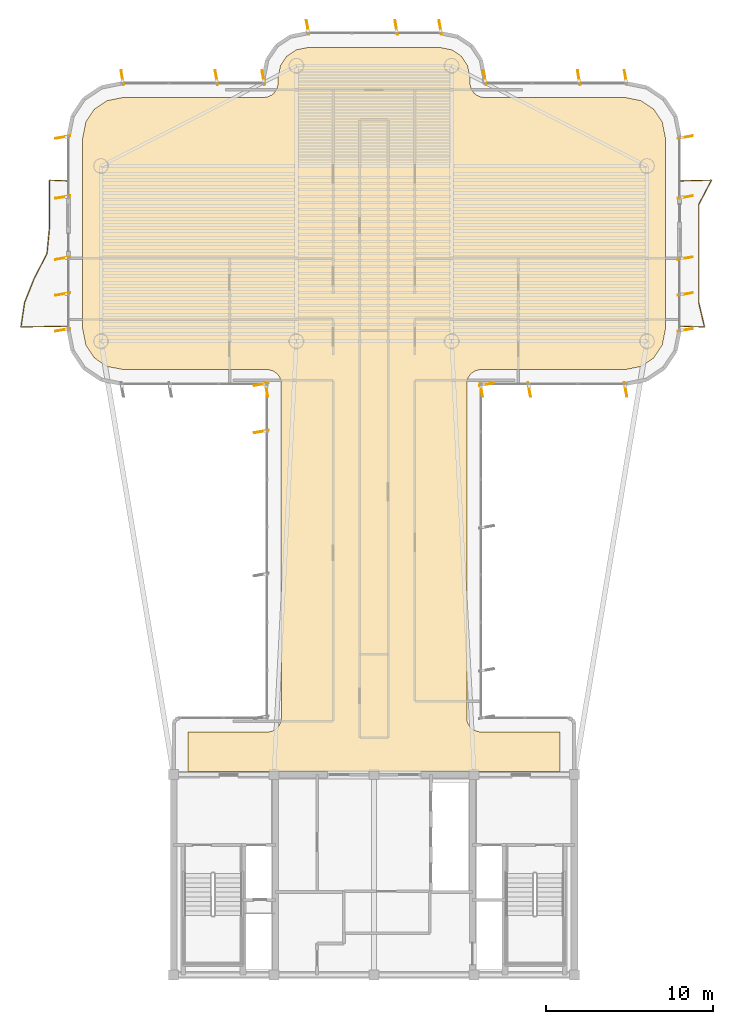
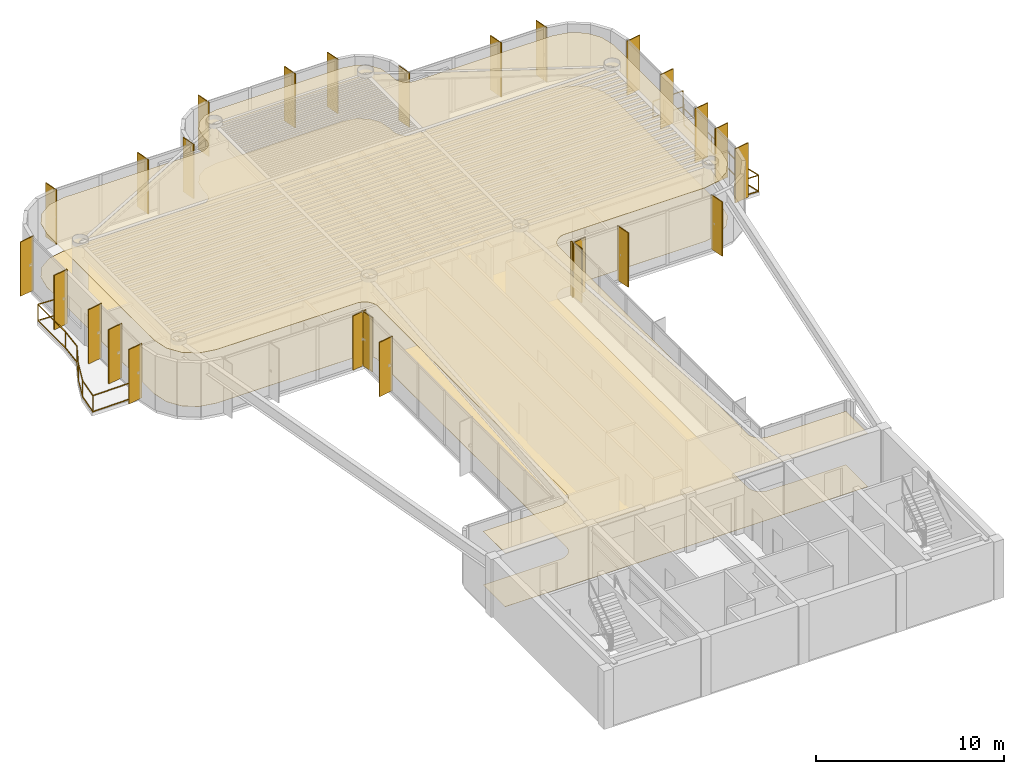
# One storey, part 15 of 15: 26 shading devices, 2 coverings, 2 railings.
"""IFC4 building model written with IfcOpenShell, lengths in metres."""

import ifcopenshell
import ifcopenshell.guid

model = None  # the IFC model being written
_history = None  # IfcOwnerHistory: only IFC2X3 demands one
_inside = {}  # id of a spatial element -> (the spatial element, [elements in it])
_under = {}  # id of a project, library or spatial element -> (it, [spatial elements below it])
_declared = {}  # id of a project -> (the project, [libraries it declares])
_typed = {}  # id of a type object -> (the type object, [elements of that type])
_made_of = {}  # id of a material, layer set ... -> (it, [elements and type objects made of it])


def new_model(schema):
    """Start an empty IFC model of exactly this schema.

    Asked for "IFC4X3", IfcOpenShell would pick the latest addendum, in which some entities
    have other attributes; the version numbers below select the first issue.
    IFC2X3 requires an IfcOwnerHistory on every rooted entity: one is made here for all.
    """
    global model, _history
    if schema == "IFC4X3":
        model = ifcopenshell.file(schema_version=(4, 3, 0, 0))
    else:
        model = ifcopenshell.file(schema=schema)
    _inside.clear()
    _under.clear()
    _declared.clear()
    _typed.clear()
    _made_of.clear()
    _history = None
    if model.schema == "IFC2X3":
        org = make("IfcOrganization", Name="unknown")
        user = make(
            "IfcPersonAndOrganization",
            ThePerson=make("IfcPerson", FamilyName="unknown"),
            TheOrganization=org,
        )
        app = make(
            "IfcApplication",
            ApplicationDeveloper=org,
            Version="unknown",
            ApplicationFullName="unknown",
            ApplicationIdentifier="unknown",
        )
        _history = make(
            "IfcOwnerHistory",
            OwningUser=user,
            OwningApplication=app,
            ChangeAction="ADDED",
            CreationDate=0,
        )
    return model


def make(cls, **values):
    """One entity of the class cls with the attributes given. An attribute that is None is left unset."""
    return model.create_entity(
        cls, **{name: value for name, value in values.items() if value is not None}
    )


def rooted(cls, **values):
    """An entity with a GlobalId (a new one), such as an element, a storey or a relation."""
    return make(cls, GlobalId=ifcopenshell.guid.new(), OwnerHistory=_history, **values)


def si_unit(unit_type, name, prefix=None):
    """IfcSIUnit, for example si_unit("LENGTHUNIT", "METRE", prefix="MILLI")."""
    return make("IfcSIUnit", UnitType=unit_type, Prefix=prefix, Name=name)


def assignment(units):
    """IfcUnitAssignment: the units of a project."""
    return None if units is None else make("IfcUnitAssignment", Units=units)


def point(xyz):
    """IfcCartesianPoint."""
    return None if xyz is None else make("IfcCartesianPoint", Coordinates=xyz)


def direction(xyz):
    """IfcDirection."""
    return None if xyz is None else make("IfcDirection", DirectionRatios=xyz)


def frame(location, z_axis=None, x_axis=None):
    """IfcAxis2Placement3D, a coordinate frame: its origin and axes. An axis left out is left unset."""
    return make(
        "IfcAxis2Placement3D",
        Location=point(location),
        Axis=direction(z_axis),
        RefDirection=direction(x_axis),
    )


def frame_2d(location, x_axis=None):
    """IfcAxis2Placement2D, a coordinate frame in the plane: its origin and x axis."""
    return make(
        "IfcAxis2Placement2D", Location=point(location), RefDirection=direction(x_axis)
    )


def origin():
    """The frame at (0, 0, 0) with its axes left unset."""
    return frame((0.0, 0.0, 0.0))


def origin_2d():
    """The frame at (0, 0) in the plane with its x axis left unset."""
    return frame_2d((0.0, 0.0))


def place(relative_to, where):
    """IfcLocalPlacement: puts the frame where relative to a parent placement (None: the world)."""
    return make(
        "IfcLocalPlacement", PlacementRelTo=relative_to, RelativePlacement=where
    )


def context(
    kind, dimensions, precision=None, world=None, true_north=None, identifier=None
):
    """IfcGeometricRepresentationContext, for example the 3D "Model" context."""
    return make(
        "IfcGeometricRepresentationContext",
        ContextIdentifier=identifier,
        ContextType=kind,
        CoordinateSpaceDimension=dimensions,
        Precision=precision,
        WorldCoordinateSystem=world,
        TrueNorth=true_north,
    )


def subcontext(parent, identifier, kind, view, scale=None):
    """IfcGeometricRepresentationSubContext, for example "Body" below "Model"."""
    return make(
        "IfcGeometricRepresentationSubContext",
        ContextIdentifier=identifier,
        ContextType=kind,
        ParentContext=parent,
        TargetScale=scale,
        TargetView=view,
    )


def project(units=None, contexts=None):
    """IfcProject with its units and contexts."""
    return rooted(
        "IfcProject",
        Name="project",
        RepresentationContexts=contexts,
        UnitsInContext=assignment(units),
    )


def spatial(cls, under=None, at=None, **own):
    """A site, building, storey or space (cls), placed at a placement, below another one or the project."""
    s = rooted(cls, ObjectPlacement=at, **own)
    if under is not None:
        _under.setdefault(under.id(), (under, []))[1].append(s)
    return s


def polyline(points):
    """IfcPolyline through the points."""
    return make("IfcPolyline", Points=[point(p) for p in points])


def profile(cls, at=None, kind="AREA", **sizes):
    """A parametric profile (cls). Its sizes go by their IFC names, for example OverallWidth=200.0."""
    return make(cls, ProfileType=kind, Position=at, **sizes)


def rectangle(**sizes):
    """IfcRectangleProfileDef."""
    return profile("IfcRectangleProfileDef", **sizes)


def outline(outer, holes=None, kind="AREA"):
    """IfcArbitraryClosedProfileDef: a profile drawn as a closed curve; with holes, ...WithVoids."""
    if holes is None:
        return make("IfcArbitraryClosedProfileDef", ProfileType=kind, OuterCurve=outer)
    return make(
        "IfcArbitraryProfileDefWithVoids",
        ProfileType=kind,
        OuterCurve=outer,
        InnerCurves=holes,
    )


def extrude(swept, where, along, depth):
    """IfcExtrudedAreaSolid: the profile swept, set in the frame where, extruded along a direction by depth."""
    return make(
        "IfcExtrudedAreaSolid",
        SweptArea=swept,
        Position=where,
        ExtrudedDirection=direction(along),
        Depth=depth,
    )


def shape(context_of_items, identifier, shape_type, items):
    """IfcShapeRepresentation: the items that make up one representation, for example the "Body"."""
    return make(
        "IfcShapeRepresentation",
        ContextOfItems=context_of_items,
        RepresentationIdentifier=identifier,
        RepresentationType=shape_type,
        Items=items,
    )


def source(mapping_origin, context_of_items, identifier, shape_type, items):
    """IfcRepresentationMap: a shape defined once, which mapped items show again and again."""
    return make(
        "IfcRepresentationMap",
        MappingOrigin=mapping_origin,
        MappedRepresentation=shape(context_of_items, identifier, shape_type, items),
    )


def transform(
    local_origin,
    x_axis=None,
    y_axis=None,
    z_axis=None,
    scale=None,
    scale2=None,
    scale3=None,
    uniform=True,
):
    """IfcCartesianTransformationOperator3D, or its non-uniform kind. x_axis, y_axis, z_axis: its Axis1, 2, 3."""
    if uniform:
        return make(
            "IfcCartesianTransformationOperator3D",
            Axis1=direction(x_axis),
            Axis2=direction(y_axis),
            LocalOrigin=point(local_origin),
            Scale=scale,
            Axis3=direction(z_axis),
        )
    return make(
        "IfcCartesianTransformationOperator3DnonUniform",
        Axis1=direction(x_axis),
        Axis2=direction(y_axis),
        LocalOrigin=point(local_origin),
        Scale=scale,
        Axis3=direction(z_axis),
        Scale2=scale2,
        Scale3=scale3,
    )


def mapped(mapping_source, mapping_target):
    """IfcMappedItem: shows the shape of a source again, moved by a transform."""
    return make(
        "IfcMappedItem", MappingSource=mapping_source, MappingTarget=mapping_target
    )


def material(Name=None, Category=None):
    """IfcMaterial."""
    return make("IfcMaterial", Name=Name, Category=Category)


def layer(
    of_material, thickness, ventilated=None, Name=None, Category=None, Priority=None
):
    """IfcMaterialLayer: one layer of a wall or slab, of a material (None: an air gap)."""
    return make(
        "IfcMaterialLayer",
        Material=of_material,
        LayerThickness=thickness,
        IsVentilated=ventilated,
        Name=Name,
        Category=Category,
        Priority=Priority,
    )


def layer_set(layers, Name=None):
    """IfcMaterialLayerSet."""
    return make("IfcMaterialLayerSet", MaterialLayers=layers, LayerSetName=Name)


def material_profile(
    of_material, cross_section, Name=None, Category=None, Priority=None
):
    """IfcMaterialProfile: a cross section and its material."""
    return make(
        "IfcMaterialProfile",
        Name=Name,
        Material=of_material,
        Profile=cross_section,
        Priority=Priority,
        Category=Category,
    )


def profile_set(profiles, Name=None, composite=None):
    """IfcMaterialProfileSet."""
    return make(
        "IfcMaterialProfileSet",
        Name=Name,
        MaterialProfiles=profiles,
        CompositeProfile=composite,
    )


def made_of(thing, what):
    """Note that an element or type object is made of a material, layer set ...; save() writes the relation."""
    if what is not None:
        _made_of.setdefault(what.id(), (what, []))[1].append(thing)
    return thing


def type_object(cls, material=None, **own):
    """A type object (cls), such as IfcWallType, which elements share."""
    return made_of(rooted(cls, **own), material)


def element(
    cls,
    number,
    at=None,
    inside=None,
    cuts=None,
    type_object=None,
    material=None,
    context=None,
    identifier="Body",
    shape_type=None,
    held_by="IfcProductDefinitionShape",
    body=None,
    shapes=None,
    **own,
):
    """One element of the class cls, such as IfcWall. Its Tag is "e" and its number.

    at: its placement. inside: the storey or other place that contains it. cuts: it is an
    opening in that element (IfcRelVoidsElement). A single representation is given by context,
    identifier, shape_type and body (its items); several are given by shapes. held_by: the class
    of the entity that holds the representations. save() writes the other relations.
    """
    e = rooted(cls, Tag="e%d" % number, ObjectPlacement=at, **own)
    if body is not None:
        shapes = [shape(context, identifier, shape_type, body)]
    if shapes is not None:
        e.Representation = make(held_by, Representations=shapes)
    if inside is not None:
        _inside.setdefault(inside.id(), (inside, []))[1].append(e)
    if cuts is not None:
        rooted(
            "IfcRelVoidsElement", RelatingBuildingElement=cuts, RelatedOpeningElement=e
        )
    if type_object is not None:
        _typed.setdefault(type_object.id(), (type_object, []))[1].append(e)
    return made_of(e, material)


def aggregate(whole, parts):
    """IfcRelAggregates: a whole, such as a stair, and the parts it consists of."""
    return rooted("IfcRelAggregates", RelatingObject=whole, RelatedObjects=parts)


def save(model, path):
    """Write the relations noted so far, then the file.

    IfcRelAggregates (storeys below a building ...), IfcRelContainedInSpatialStructure (elements
    in a storey), IfcRelDefinesByType, IfcRelAssociatesMaterial and IfcRelDeclares: one each for
    every whole, place, type object, material and project.
    """
    for whole, parts in _under.values():
        aggregate(whole, parts)
    for where, things in _inside.values():
        rooted(
            "IfcRelContainedInSpatialStructure",
            RelatedElements=things,
            RelatingStructure=where,
        )
    for kind, things in _typed.values():
        rooted("IfcRelDefinesByType", RelatedObjects=things, RelatingType=kind)
    for what, things in _made_of.values():
        rooted("IfcRelAssociatesMaterial", RelatedObjects=things, RelatingMaterial=what)
    for by, libraries in _declared.values():
        rooted("IfcRelDeclares", RelatingContext=by, RelatedDefinitions=libraries)
    model.write(path)


model = new_model("IFC4")

# Units and contexts
model_context = context("Model", 3, precision=1e-05, world=origin(), true_north=direction((0.0, 1.0)))
body_context = subcontext(model_context, "Body", "Model", "MODEL_VIEW")
ifc_project = project(units=[si_unit("LENGTHUNIT", "METRE"), si_unit("AREAUNIT", "SQUARE_METRE"), si_unit("VOLUMEUNIT", "CUBIC_METRE"), si_unit("PLANEANGLEUNIT", "RADIAN"), si_unit("MASSUNIT", "GRAM", prefix="KILO")], contexts=[model_context])

# Site, building, storey
site_placement = place(None, origin())
site = spatial("IfcSite", under=ifc_project, at=site_placement, CompositionType="ELEMENT")
building_placement = place(site_placement, origin())
building = spatial("IfcBuilding", under=site, at=building_placement, Name="Brelvock Crest Care Tower", CompositionType="ELEMENT")
storey_placement = place(building_placement, frame((0.0, 0.0, 249.47998046875)))
storey = spatial("IfcBuildingStorey", under=building, at=storey_placement, Name="L63", CompositionType="ELEMENT", Elevation=249.47998046875)

# Coverings
ifc_material_1 = material(Name="Mineral Fibre Acoustic Ceiling Tile", Category="gypsum")
ifc_layer_1 = layer(ifc_material_1, 0.02490234375, Name="COV-CLG1")
ifc_layer_set_1 = layer_set([ifc_layer_1], Name="Mineral Fibre Acoustic Ceiling Tile")
covering_type_1 = type_object("IfcCoveringType", Name="COV-CLG1", PredefinedType="CEILING", material=ifc_layer_set_1)
covering_1_placement = place(storey_placement, frame((0.0, 0.0, 3.47509765625)))
element("IfcCovering", 1, at=covering_1_placement, inside=storey, type_object=covering_type_1, Name="L63 Acoustic Suspended Ceiling 1", PredefinedType="CEILING", context=body_context, shape_type="SweptSolid", body=[
    extrude(outline(polyline([(24.85009765625, 18.199951171875), (47.14990234375, 18.199951171875), (47.14990234375, 20.550048828125), (42.316650390625, 20.55419921875), (41.999267578125, 20.650390625), (41.799072265625, 20.799072265625), (41.650390625, 20.999267578125), (41.56640625, 21.234130859375), (41.55419921875, 41.4833984375), (41.61474609375, 41.725341796875), (41.799072265625, 42.0009765625), (42.07470703125, 42.185302734375), (42.316650390625, 42.245849609375), (51.016357421875, 42.25), (51.992919921875, 42.4443359375), (52.75, 42.9501953125), (53.255615234375, 43.70703125), (53.449951171875, 44.68359375), (53.449951171875, 56.1162109375), (53.255615234375, 57.093017578125), (52.75, 57.849853515625), (51.992919921875, 58.355712890625), (51.016357421875, 58.550048828125), (42.60009765625, 58.550048828125), (42.353271484375, 58.586669921875), (42.127685546875, 58.693359375), (41.9990234375, 58.799072265625), (41.814697265625, 59.07470703125), (41.754150390625, 59.316650390625), (41.75, 59.71630859375), (41.601318359375, 60.46337890625), (41.2255859375, 61.025634765625), (40.663330078125, 61.4013671875), (39.916259765625, 61.550048828125), (32.083740234375, 61.550048828125), (31.336669921875, 61.4013671875), (30.7744140625, 61.025634765625), (30.398681640625, 60.46337890625), (30.25, 59.71630859375), (30.245849609375, 59.316650390625), (30.185302734375, 59.07470703125), (30.0009765625, 58.799072265625), (29.872314453125, 58.693359375), (29.646728515625, 58.586669921875), (29.39990234375, 58.550048828125), (20.983642578125, 58.550048828125), (20.007080078125, 58.355712890625), (19.25, 57.849853515625), (18.744384765625, 57.093017578125), (18.550048828125, 56.1162109375), (18.550048828125, 44.68359375), (18.744384765625, 43.70703125), (19.25, 42.9501953125), (20.007080078125, 42.4443359375), (20.983642578125, 42.25), (29.683349609375, 42.245849609375), (29.92529296875, 42.185302734375), (30.200927734375, 42.0009765625), (30.349609375, 41.80078125), (30.43359375, 41.56591796875), (30.449951171875, 21.39990234375), (30.413330078125, 21.1533203125), (30.306640625, 20.927734375), (30.13916015625, 20.742919921875), (29.92529296875, 20.61474609375), (29.683349609375, 20.55419921875), (24.85009765625, 20.550048828125), (24.85009765625, 18.199951171875)])), origin(), (0.0, 0.0, 1.0), 0.02490234375),
])
ifc_material_2 = material(Name="Slip-Resistant Acoustic Vinyl Flooring", Category="finish")
ifc_layer_2 = layer(ifc_material_2, 0.014892578125, Name="COV-FLR1")
ifc_layer_set_2 = layer_set([ifc_layer_2], Name="Slip-Resistant Acoustic Vinyl Flooring")
covering_type_2 = type_object("IfcCoveringType", Name="COV-FLR1", PredefinedType="FLOORING", material=ifc_layer_set_2)
covering_2_placement = place(storey_placement, origin())
element("IfcCovering", 2, at=covering_2_placement, inside=storey, type_object=covering_type_2, Name="L63 Slip-Resistant Acoustic Flooring 1", PredefinedType="FLOORING", context=body_context, shape_type="SweptSolid", body=[
    extrude(outline(polyline([(24.85009765625, 18.199951171875), (47.14990234375, 18.199951171875), (47.14990234375, 20.550048828125), (42.316650390625, 20.55419921875), (41.999267578125, 20.650390625), (41.799072265625, 20.799072265625), (41.650390625, 20.999267578125), (41.56640625, 21.234130859375), (41.55419921875, 41.4833984375), (41.61474609375, 41.725341796875), (41.799072265625, 42.0009765625), (42.07470703125, 42.185302734375), (42.316650390625, 42.245849609375), (51.016357421875, 42.25), (51.992919921875, 42.4443359375), (52.75, 42.9501953125), (53.255615234375, 43.70703125), (53.449951171875, 44.68359375), (53.449951171875, 56.1162109375), (53.255615234375, 57.093017578125), (52.75, 57.849853515625), (51.992919921875, 58.355712890625), (51.016357421875, 58.550048828125), (42.60009765625, 58.550048828125), (42.353271484375, 58.586669921875), (42.127685546875, 58.693359375), (41.9990234375, 58.799072265625), (41.814697265625, 59.07470703125), (41.754150390625, 59.316650390625), (41.75, 59.71630859375), (41.601318359375, 60.46337890625), (41.2255859375, 61.025634765625), (40.663330078125, 61.4013671875), (39.916259765625, 61.550048828125), (32.083740234375, 61.550048828125), (31.336669921875, 61.4013671875), (30.7744140625, 61.025634765625), (30.398681640625, 60.46337890625), (30.25, 59.71630859375), (30.245849609375, 59.316650390625), (30.185302734375, 59.07470703125), (30.0009765625, 58.799072265625), (29.872314453125, 58.693359375), (29.646728515625, 58.586669921875), (29.39990234375, 58.550048828125), (20.983642578125, 58.550048828125), (20.007080078125, 58.355712890625), (19.25, 57.849853515625), (18.744384765625, 57.093017578125), (18.550048828125, 56.1162109375), (18.550048828125, 44.68359375), (18.744384765625, 43.70703125), (19.25, 42.9501953125), (20.007080078125, 42.4443359375), (20.983642578125, 42.25), (29.683349609375, 42.245849609375), (29.92529296875, 42.185302734375), (30.200927734375, 42.0009765625), (30.349609375, 41.80078125), (30.43359375, 41.56591796875), (30.449951171875, 21.39990234375), (30.413330078125, 21.1533203125), (30.306640625, 20.927734375), (30.13916015625, 20.742919921875), (29.92529296875, 20.61474609375), (29.683349609375, 20.55419921875), (24.85009765625, 20.550048828125), (24.85009765625, 18.199951171875)])), origin(), (0.0, 0.0, 1.0), 0.01513671875),
])

# Railings
ifc_material_3 = material(Name="Dark Glass Double Glazed Low-E", Category="glass")
ifc_layer_3 = layer(ifc_material_3, 0.06005859375, Name="RL-BAL1")
ifc_layer_set_3 = layer_set([ifc_layer_3], Name="Dark Glass Double Glazed Low-E")
railing_type = type_object("IfcRailingType", Name="RL-BAL1", PredefinedType="BALUSTRADE", material=ifc_layer_set_3)
railing_1_placement = place(storey_placement, frame((17.659912109375, 44.85009765625, 0.00390625)))
element("IfcRailing", 3, at=railing_1_placement, inside=storey, type_object=railing_type, Name="L63 Safety Balustrade WB-W", PredefinedType="BALUSTRADE", context=body_context, shape_type="SweptSolid", body=[
    extrude(rectangle(XDim=0.048095703125, YDim=0.048095703125, at=origin_2d()), frame((-0.001953125, 0.0, 1.09619140625), z_axis=(-0.99984026566, -0.017872973008, 0.0), x_axis=(0.017872973008, -0.99984026566, 0.0)), (0.0, 0.0, 1.0), 2.796142578125),
    extrude(rectangle(XDim=0.048095703125, YDim=0.048095703125, at=origin_2d()), frame((-0.001953125, 0.0, 0.054931640625), z_axis=(-0.99984026566, -0.017872973008, 0.0), x_axis=(0.017872973008, -0.99984026566, 0.0)), (0.0, 0.0, 1.0), 2.796142578125),
    extrude(rectangle(XDim=0.048095703125, YDim=0.048095703125, at=origin_2d()), frame((-2.799560546875, -0.048095703125, 1.09619140625), z_axis=(0.146882849114, 0.989153895325, 0.0), x_axis=(-0.989153895325, 0.146882849114, 0.0)), (0.0, 0.0, 1.0), 1.478515625),
    extrude(rectangle(XDim=0.048095703125, YDim=0.048095703125, at=origin_2d()), frame((-2.799560546875, -0.048095703125, 0.054931640625), z_axis=(0.146882849114, 0.989153895325, 0.0), x_axis=(-0.989153895325, 0.146882849114, 0.0)), (0.0, 0.0, 1.0), 1.478515625),
    extrude(rectangle(XDim=0.048095703125, YDim=0.048095703125, at=origin_2d()), frame((-2.581298828125, 1.41845703125, 1.09619140625), z_axis=(0.36936302047, 0.929285187179, 0.0), x_axis=(-0.929285187179, 0.36936302047, 0.0)), (0.0, 0.0, 1.0), 1.574462890625),
    extrude(rectangle(XDim=0.048095703125, YDim=0.048095703125, at=origin_2d()), frame((-2.581298828125, 1.41845703125, 0.054931640625), z_axis=(0.36936302047, 0.929285187179, 0.0), x_axis=(-0.929285187179, 0.36936302047, 0.0)), (0.0, 0.0, 1.0), 1.574462890625),
    extrude(rectangle(XDim=0.048095703125, YDim=0.048095703125, at=origin_2d()), frame((-1.998046875, 2.885009765625, 1.09619140625), z_axis=(0.460230882472, 0.887799264935, 0.0), x_axis=(-0.887799264935, 0.460230882472, 0.0)), (0.0, 0.0, 1.0), 1.64794921875),
    extrude(rectangle(XDim=0.048095703125, YDim=0.048095703125, at=origin_2d()), frame((-1.998046875, 2.885009765625, 0.054931640625), z_axis=(0.460230882472, 0.887799264935, 0.0), x_axis=(-0.887799264935, 0.460230882472, 0.0)), (0.0, 0.0, 1.0), 1.64794921875),
    extrude(rectangle(XDim=0.048095703125, YDim=0.048095703125, at=origin_2d()), frame((-1.238525390625, 4.351806640625, 1.09619140625), z_axis=(0.094285159279, 0.99554523189, 0.0), x_axis=(-0.99554523189, 0.094285159279, 0.0)), (0.0, 0.0, 1.0), 1.469482421875),
    extrude(rectangle(XDim=0.048095703125, YDim=0.048095703125, at=origin_2d()), frame((-1.238525390625, 4.351806640625, 0.054931640625), z_axis=(0.094285159279, 0.99554523189, 0.0), x_axis=(-0.99554523189, 0.094285159279, 0.0)), (0.0, 0.0, 1.0), 1.469482421875),
    extrude(rectangle(XDim=0.048095703125, YDim=0.048095703125, at=origin_2d()), frame((-1.099853515625, 5.818603515625, 1.09619140625), z_axis=(0.0, 1.0, 0.0), x_axis=(-1.0, 0.0, 0.0)), (0.0, 0.0, 1.0), 2.929443359375),
    extrude(rectangle(XDim=0.048095703125, YDim=0.048095703125, at=origin_2d()), frame((-1.099853515625, 5.818603515625, 0.054931640625), z_axis=(0.0, 1.0, 0.0), x_axis=(-1.0, 0.0, 0.0)), (0.0, 0.0, 1.0), 2.929443359375),
    extrude(rectangle(XDim=0.048095703125, YDim=0.048095703125, at=origin_2d()), frame((-1.097900390625, 8.75, 1.09619140625), z_axis=(0.998966252902, -0.045457953795, 0.0), x_axis=(0.045457953795, 0.998966252902, 0.0)), (0.0, 0.0, 1.0), 1.096923828125),
    extrude(rectangle(XDim=0.048095703125, YDim=0.048095703125, at=origin_2d()), frame((-1.097900390625, 8.75, 0.054931640625), z_axis=(0.998966252902, -0.045457953795, 0.0), x_axis=(0.045457953795, 0.998966252902, 0.0)), (0.0, 0.0, 1.0), 1.096923828125),
    extrude(rectangle(XDim=0.0419921875, YDim=0.0419921875, at=origin_2d()), origin(), (0.0, 0.0, 1.0), 1.070068359375),
    extrude(rectangle(XDim=0.0419921875, YDim=0.0419921875, at=origin_2d()), frame((-2.7998046875, -0.050048828125, 0.0)), (0.0, 0.0, 1.0), 1.070068359375),
    extrude(rectangle(XDim=0.0419921875, YDim=0.0419921875, at=origin_2d()), frame((-2.58203125, 1.41650390625, 0.0)), (0.0, 0.0, 1.0), 1.070068359375),
    extrude(rectangle(XDim=0.0419921875, YDim=0.0419921875, at=origin_2d()), frame((-1.9990234375, 2.88330078125, 0.0)), (0.0, 0.0, 1.0), 1.070068359375),
    extrude(rectangle(XDim=0.0419921875, YDim=0.0419921875, at=origin_2d()), frame((-1.23876953125, 4.349853515625, 0.0)), (0.0, 0.0, 1.0), 1.070068359375),
    extrude(rectangle(XDim=0.0419921875, YDim=0.0419921875, at=origin_2d()), frame((-1.099853515625, 5.816650390625, 0.0)), (0.0, 0.0, 1.0), 1.070068359375),
    extrude(rectangle(XDim=0.0419921875, YDim=0.0419921875, at=origin_2d()), frame((-1.099853515625, 8.75, 0.0)), (0.0, 0.0, 1.0), 1.070068359375),
    extrude(rectangle(XDim=0.0419921875, YDim=0.0419921875, at=origin_2d()), frame((0.0, 8.699951171875, 0.0)), (0.0, 0.0, 1.0), 1.070068359375),
])
railing_2_placement = place(storey_placement, frame((54.340087890625, 44.85009765625, 0.00390625)))
element("IfcRailing", 4, at=railing_2_placement, inside=storey, type_object=railing_type, Name="L63 Safety Balustrade WB-E", PredefinedType="BALUSTRADE", context=body_context, shape_type="SweptSolid", body=[
    extrude(rectangle(XDim=0.048095703125, YDim=0.048095703125, at=origin_2d()), frame((0.001953125, 0.0, 1.09619140625), z_axis=(0.999404799616, -0.034497050669, 0.0), x_axis=(0.034497050669, 0.999404799616, 0.0)), (0.0, 0.0, 1.0), 1.44677734375),
    extrude(rectangle(XDim=0.048095703125, YDim=0.048095703125, at=origin_2d()), frame((0.001953125, 0.0, 0.054931640625), z_axis=(0.999404799616, -0.034497050669, 0.0), x_axis=(0.034497050669, 0.999404799616, 0.0)), (0.0, 0.0, 1.0), 1.44677734375),
    extrude(rectangle(XDim=0.048095703125, YDim=0.048095703125, at=origin_2d()), frame((1.449462890625, -0.048095703125, 1.09619140625), z_axis=(-0.232196944837, 0.972668791937, 0.0), x_axis=(-0.972668791937, -0.232196944837, 0.0)), (0.0, 0.0, 1.0), 1.503662109375),
    extrude(rectangle(XDim=0.048095703125, YDim=0.048095703125, at=origin_2d()), frame((1.449462890625, -0.048095703125, 0.054931640625), z_axis=(-0.232196944837, 0.972668791937, 0.0), x_axis=(-0.972668791937, -0.232196944837, 0.0)), (0.0, 0.0, 1.0), 1.503662109375),
    extrude(rectangle(XDim=0.048095703125, YDim=0.048095703125, at=origin_2d()), frame((1.099853515625, 1.41845703125, 1.09619140625), z_axis=(0.000124843944, 0.999999992207, 0.0), x_axis=(-0.999999992207, 0.000124843944, 0.0)), (0.0, 0.0, 1.0), 5.86279296875),
    extrude(rectangle(XDim=0.048095703125, YDim=0.048095703125, at=origin_2d()), frame((1.099853515625, 1.41845703125, 0.054931640625), z_axis=(0.000124843944, 0.999999992207, 0.0), x_axis=(-0.999999992207, 0.000124843944, 0.0)), (0.0, 0.0, 1.0), 5.86279296875),
    extrude(rectangle(XDim=0.048095703125, YDim=0.048095703125, at=origin_2d()), frame((1.1015625, 7.284912109375, 1.09619140625), z_axis=(0.463191013929, 0.88625847506, 0.0), x_axis=(-0.88625847506, 0.463191013929, 0.0)), (0.0, 0.0, 1.0), 1.651123046875),
    extrude(rectangle(XDim=0.048095703125, YDim=0.048095703125, at=origin_2d()), frame((1.1015625, 7.284912109375, 0.054931640625), z_axis=(0.463191013929, 0.88625847506, 0.0), x_axis=(-0.88625847506, 0.463191013929, 0.0)), (0.0, 0.0, 1.0), 1.651123046875),
    extrude(rectangle(XDim=0.048095703125, YDim=0.048095703125, at=origin_2d()), frame((1.865234375, 8.75, 1.09619140625), z_axis=(-0.999640955712, -0.026794769341, 0.0), x_axis=(0.026794769341, -0.999640955712, 0.0)), (0.0, 0.0, 1.0), 1.86376953125),
    extrude(rectangle(XDim=0.048095703125, YDim=0.048095703125, at=origin_2d()), frame((1.865234375, 8.75, 0.054931640625), z_axis=(-0.999640955712, -0.026794769341, 0.0), x_axis=(0.026794769341, -0.999640955712, 0.0)), (0.0, 0.0, 1.0), 1.86376953125),
    extrude(rectangle(XDim=0.0419921875, YDim=0.0419921875, at=origin_2d()), origin(), (0.0, 0.0, 1.0), 1.070068359375),
    extrude(rectangle(XDim=0.0419921875, YDim=0.0419921875, at=origin_2d()), frame((1.449951171875, -0.050048828125, 0.0)), (0.0, 0.0, 1.0), 1.070068359375),
    extrude(rectangle(XDim=0.0419921875, YDim=0.0419921875, at=origin_2d()), frame((1.099853515625, 1.41650390625, 0.0)), (0.0, 0.0, 1.0), 1.070068359375),
    extrude(rectangle(XDim=0.0419921875, YDim=0.0419921875, at=origin_2d()), frame((1.10009765625, 4.349853515625, 0.0)), (0.0, 0.0, 1.0), 1.070068359375),
    extrude(rectangle(XDim=0.0419921875, YDim=0.0419921875, at=origin_2d()), frame((1.1005859375, 7.283203125, 0.0)), (0.0, 0.0, 1.0), 1.070068359375),
    extrude(rectangle(XDim=0.0419921875, YDim=0.0419921875, at=origin_2d()), frame((1.8671875, 8.75, 0.0)), (0.0, 0.0, 1.0), 1.070068359375),
    extrude(rectangle(XDim=0.0419921875, YDim=0.0419921875, at=origin_2d()), frame((0.0, 8.699951171875, 0.0)), (0.0, 0.0, 1.0), 1.070068359375),
])

# Shading devices
ifc_material_4 = material(Name="Aluminium 6063-T6", Category="aluminium")
ifc_material_profile = material_profile(ifc_material_4, rectangle(XDim=0.054931640625, YDim=0.89990234375, at=origin_2d()), Name="FIN55x900")
ifc_profile_set = profile_set([ifc_material_profile], Name="Aluminium 6063-T6")
shading_device_type = type_object("IfcShadingDeviceType", Name="SHD-FIN1", PredefinedType="USERDEFINED", material=ifc_profile_set)
shared_shape = source(origin(), body_context, "Body", "SweptSolid", [
    extrude(rectangle(XDim=0.054931640625, YDim=0.89990234375, at=origin_2d()), origin(), (0.0, 0.0, 1.0), 3.530029296875),
])
for number, where, z_axis, x_axis, name in (
    (5, (29.260009765625, 38.54296875, 0.0), (0.0, 0.0, 1.0), (-0.173648177667, 0.984807753012, 0.0), "L63 Vertical Sunshade Fin E11-07"),
    (6, (29.260009765625, 41.3701171875, 0.0), (0.0, 0.0, 1.0), (-0.173648177667, 0.984807753012, 0.0), "L63 Vertical Sunshade Fin E11-08"),
    (7, (29.570068359375, 41.06005859375, 0.0), (0.0, 0.0, 1.0), (-0.984807753012, -0.173648177667, 0.0), "L63 Vertical Sunshade Fin E12-01"),
    (8, (17.360107421875, 44.6298828125, 0.0), (0.0, 0.0, 1.0), (-0.173648177667, 0.984807753012, 0.0), "L63 Vertical Sunshade Fin E17A-01"),
    (9, (17.360107421875, 46.77490234375, 0.0), (0.0, 0.0, 1.0), (-0.173648177667, 0.984807753012, 0.0), "L63 Vertical Sunshade Fin E17A-02"),
    (10, (17.360107421875, 48.919921875, 0.0), (0.0, 0.0, 1.0), (-0.173648177667, 0.984807753012, 0.0), "L63 Vertical Sunshade Fin E17A-03"),
    (11, (17.360107421875, 52.580078125, 0.0), (0.0, 0.0, 1.0), (-0.173648177667, 0.984807753012, 0.0), "L63 Vertical Sunshade Fin E17B-01"),
    (12, (17.360107421875, 56.169921875, 0.0), (0.0, 0.0, 1.0), (-0.173648177667, 0.984807753012, 0.0), "L63 Vertical Sunshade Fin E17B-02"),
    (13, (20.929931640625, 59.739990234375, 0.0), (0.0, 0.0, 1.0), (0.984807753012, 0.173648177667, 0.0), "L63 Vertical Sunshade Fin E22-01"),
    (14, (26.566650390625, 59.739990234375, 0.0), (0.0, 0.0, 1.0), (0.984807753012, 0.173648177667, 0.0), "L63 Vertical Sunshade Fin E22-03"),
    (15, (29.3701171875, 59.739990234375, 0.0), (0.0, 0.0, 1.0), (0.984807753012, 0.173648177667, 0.0), "L63 Vertical Sunshade Fin E22-04"),
    (16, (32.030029296875, 62.739990234375, 0.0), (0.0, 0.0, 1.0), (0.984807753012, 0.173648177667, 0.0), "L63 Vertical Sunshade Fin E28-01"),
    (17, (37.333251953125, 62.739990234375, 0.0), (0.0, 0.0, 1.0), (0.984807753012, 0.173648177667, 0.0), "L63 Vertical Sunshade Fin E28-03"),
    (18, (39.969970703125, 62.739990234375, 0.0), (0.0, 0.0, 1.0), (0.984807753012, 0.173648177667, 0.0), "L63 Vertical Sunshade Fin E28-04"),
    (19, (42.6298828125, 59.739990234375, 0.0), (0.0, 0.0, 1.0), (0.984807753012, 0.173648177667, 0.0), "L63 Vertical Sunshade Fin E34-01"),
    (20, (48.2666015625, 59.739990234375, 0.0), (0.0, 0.0, 1.0), (0.984807753012, 0.173648177667, 0.0), "L63 Vertical Sunshade Fin E34-03"),
    (21, (51.070068359375, 59.739990234375, 0.0), (0.0, 0.0, 1.0), (0.984807753012, 0.173648177667, 0.0), "L63 Vertical Sunshade Fin E34-04"),
    (22, (54.639892578125, 56.169921875, 0.0), (0.0, 0.0, 1.0), (0.173648177667, -0.984807753012, 0.0), "L63 Vertical Sunshade Fin E39A-01"),
    (23, (54.639892578125, 52.580078125, 0.0), (0.0, 0.0, 1.0), (0.173648177667, -0.984807753012, 0.0), "L63 Vertical Sunshade Fin E39A-02"),
    (24, (54.639892578125, 48.919921875, 0.0), (0.0, 0.0, 1.0), (0.173648177667, -0.984807753012, 0.0), "L63 Vertical Sunshade Fin E39B-01"),
    (25, (54.639892578125, 46.77490234375, 0.0), (0.0, 0.0, 1.0), (0.173648177667, -0.984807753012, 0.0), "L63 Vertical Sunshade Fin E39B-02"),
    (26, (54.639892578125, 44.6298828125, 0.0), (0.0, 0.0, 1.0), (0.173648177667, -0.984807753012, 0.0), "L63 Vertical Sunshade Fin E39B-03"),
    (27, (51.070068359375, 41.06005859375, 0.0), (0.0, 0.0, 1.0), (-0.984807753012, -0.173648177667, 0.0), "L63 Vertical Sunshade Fin E44-01"),
    (28, (45.300048828125, 41.06005859375, 0.0), (0.0, 0.0, 1.0), (-0.984807753012, -0.173648177667, 0.0), "L63 Vertical Sunshade Fin E44-03"),
    (29, (42.429931640625, 41.06005859375, 0.0), (0.0, 0.0, 1.0), (-0.984807753012, -0.173648177667, 0.0), "L63 Vertical Sunshade Fin E44-04"),
    (30, (42.739990234375, 41.3701171875, 0.0), (0.0, 0.0, 1.0), (0.173648177667, -0.984807753012, 0.0), "L63 Vertical Sunshade Fin E45-01"),
):
    element("IfcShadingDevice", number, at=place(storey_placement, frame(where, z_axis=z_axis, x_axis=x_axis)), inside=storey, type_object=shading_device_type, Name=name, ObjectType="FIN", PredefinedType="USERDEFINED", context=body_context, shape_type="MappedRepresentation", body=[
        mapped(shared_shape, transform((0.0, 0.0, 0.0), x_axis=(1.0, 0.0, 0.0), y_axis=(0.0, 1.0, 0.0), z_axis=(0.0, 0.0, 1.0), scale=1.0)),
    ])

save(model, "model.ifc")
